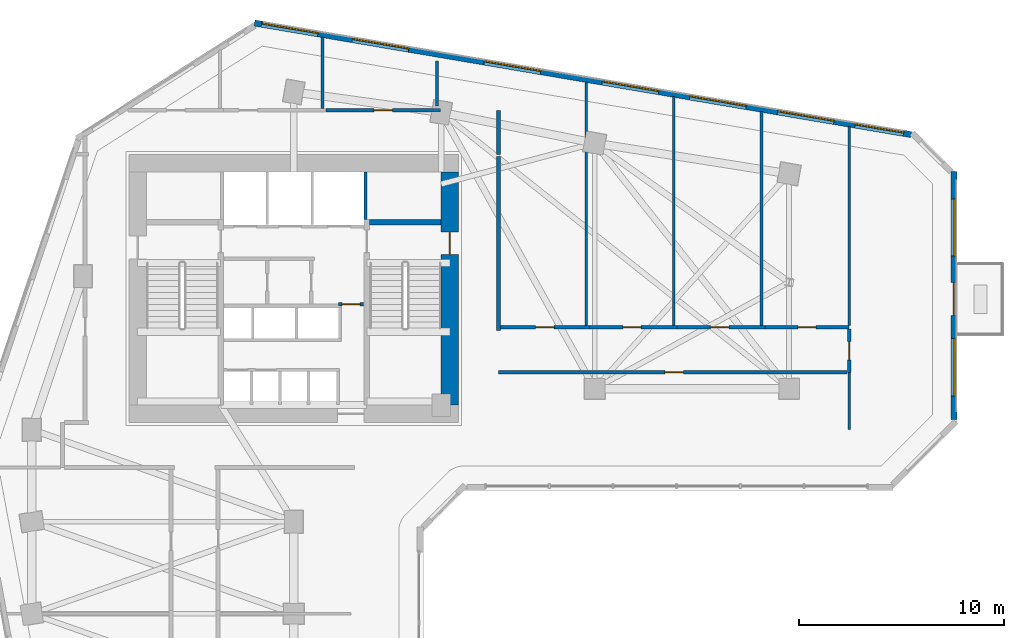
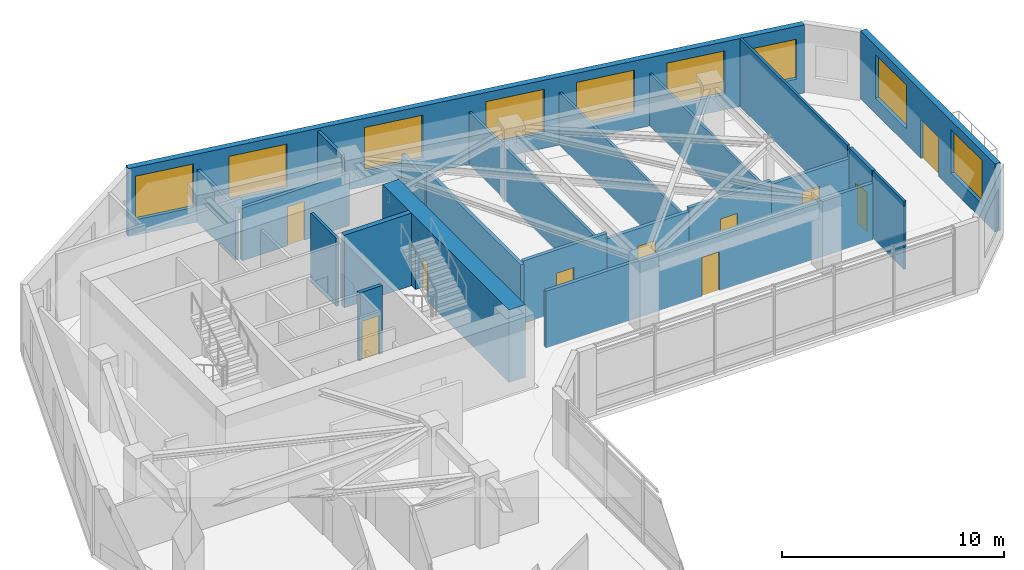
# One storey, part 7 of 11: 22 walls, 10 doors, 9 windows, 19 openings.
"""IFC4 building model written with IfcOpenShell, lengths in metres."""

from ifc_helpers import new_model, si_unit, direction, frame, frame_2d, origin, place, context, subcontext, project, spatial, rectangle, extrude, source, transform, mapped, material, layer, layer_set, type_object, element, fill, save


model = new_model("IFC4")

# Units and contexts
model_context = context("Model", 3, precision=1e-05, world=origin(), true_north=direction((0.0, 1.0)))
body_context = subcontext(model_context, "Body", "Model", "MODEL_VIEW")
ifc_project = project(units=[si_unit("LENGTHUNIT", "METRE"), si_unit("AREAUNIT", "SQUARE_METRE"), si_unit("VOLUMEUNIT", "CUBIC_METRE"), si_unit("PLANEANGLEUNIT", "RADIAN"), si_unit("MASSUNIT", "GRAM", prefix="KILO")], contexts=[model_context])

# Site, building, storey
site_placement = place(None, origin())
site = spatial("IfcSite", under=ifc_project, at=site_placement, CompositionType="ELEMENT")
building_placement = place(site_placement, origin())
building = spatial("IfcBuilding", under=site, at=building_placement, Name="Calvemar Wedge Station Tower", CompositionType="ELEMENT")
storey_placement = place(building_placement, frame((0.0, 0.0, 83.0)))
storey = spatial("IfcBuildingStorey", under=building, at=storey_placement, Name="L20", CompositionType="ELEMENT", Elevation=83.0)

# Wall
ifc_material_1 = material(Name="Concrete C50", Category="concrete")
ifc_layer_1 = layer(ifc_material_1, 0.260009765625)
ifc_layer_set_1 = layer_set([ifc_layer_1], Name="Concrete C50")
wall_type_1 = type_object("IfcWallType", Name="SW-CORE-260", PredefinedType="SHEAR", material=ifc_layer_set_1)
wall_1_placement = place(storey_placement, frame((27.5, 43.1298828125, 0.0), z_axis=(0.0, 0.0, 1.0), x_axis=(1.0, 0.0, 0.0)))
element("IfcWall", 1, at=wall_1_placement, inside=storey, type_object=wall_type_1, Name="Storey L20 Core Shear Wall STC2-N", PredefinedType="SHEAR", context=body_context, shape_type="SweptSolid", body=[
    extrude(rectangle(XDim=3.5, YDim=0.260009765625, at=frame_2d((1.75, 0.0))), origin(), (0.0, 0.0, 1.0), 4.0),
])

# Wall, opening, door
ifc_material_2 = material(Name="Concrete C80", Category="concrete")
ifc_layer_2 = layer(ifc_material_2, 0.85009765625)
ifc_layer_set_2 = layer_set([ifc_layer_2], Name="Concrete C80")
wall_type_2 = type_object("IfcWallType", Name="SW-CORE-850", PredefinedType="SHEAR", material=ifc_layer_set_2)
wall_2_placement = place(storey_placement, frame((31.425048828125, 34.199951171875, 0.0), z_axis=(0.0, 0.0, 1.0), x_axis=(0.0, 1.0, 0.0)))
wall_2 = element("IfcWall", 2, at=wall_2_placement, inside=storey, type_object=wall_type_2, Name="Storey L20 Core Shear Wall E", PredefinedType="SHEAR", context=body_context, shape_type="SweptSolid", body=[
    extrude(rectangle(XDim=11.400146484375, YDim=0.85009765625, at=frame_2d((5.7001953125, 0.0))), origin(), (0.0, 0.0, 1.0), 4.0),
])
shared_shape_1 = source(origin(), body_context, "Body", "SweptSolid", [
    extrude(rectangle(XDim=1.10009765625, YDim=2.14990234375, at=frame_2d((0.550048828125, 1.074951171875))), frame((0.0, 0.43505859375, 0.0), z_axis=(0.0, -1.0, 0.0), x_axis=(1.0, 0.0, 0.0)), (0.0, 0.0, 1.0), 0.8701171875),
])
opening_1_placement = place(wall_2_placement, frame((7.35009765625, 0.0, 0.0)))
opening_1 = element("IfcOpeningElement", 3, at=opening_1_placement, cuts=wall_2, Name="Opening FD-90", PredefinedType="OPENING", context=body_context, shape_type="MappedRepresentation", body=[
    mapped(shared_shape_1, transform((0.0, 0.0, 0.0), scale=1.0)),
])
ifc_material_3 = material(Name="Galvanized fire-rated steel door leaf P-90", Category="steel")
door_type_1 = type_object("IfcDoorType", Name="DR-FD90-1100", OperationType="NOTDEFINED", PredefinedType="DOOR", material=ifc_material_3)
shared_shape_2 = source(origin(), body_context, "Body", "SweptSolid", [
    extrude(rectangle(XDim=1.10009765625, YDim=2.14990234375, at=frame_2d((0.550048828125, 1.074951171875))), frame((0.0, 0.02490234375, 0.0), z_axis=(0.0, -1.0, 0.0), x_axis=(1.0, 0.0, 0.0)), (0.0, 0.0, 1.0), 0.050048828125),
])
door_1_placement = place(opening_1_placement, origin())
door_1 = element("IfcDoor", 4, at=door_1_placement, inside=storey, type_object=door_type_1, Name="L20 East Corridor to Exit Stair ST-C2 Door", OperationType="SINGLE_SWING_LEFT", OverallHeight=2.14990234375, OverallWidth=1.10009765625, PredefinedType="DOOR", context=body_context, shape_type="MappedRepresentation", body=[
    mapped(shared_shape_2, transform((0.0, 0.0, 0.0), scale=1.0)),
])
fill(opening_1, door_1)

ifc_material_4 = material(Name="Double-stud fire-rated corridor partition")
ifc_layer_3 = layer(ifc_material_4, 0.179931640625)
ifc_layer_set_3 = layer_set([ifc_layer_3], Name="Double-stud fire-rated corridor partition")
wall_type_3 = type_object("IfcWallType", Name="W-CORR-180", PredefinedType="PARTITIONING", material=ifc_layer_set_3)
wall_3_placement = place(storey_placement, frame((27.199951171875, 39.1298828125, 0.0), z_axis=(0.0, 0.0, 1.0), x_axis=(-1.0, 0.0, 0.0)))
wall_3 = element("IfcWall", 5, at=wall_3_placement, inside=storey, type_object=wall_type_3, Name="Storey L20 Interior Partition WL-L20-005", PredefinedType="PARTITIONING", context=body_context, shape_type="SweptSolid", body=[
    extrude(rectangle(XDim=1.2099609375, YDim=0.179931640625, at=frame_2d((0.60498046875, 0.0))), origin(), (0.0, 0.0, 1.0), 3.75),
])
shared_shape_3 = source(origin(), body_context, "Body", "SweptSolid", [
    extrude(rectangle(XDim=0.89990234375, YDim=2.14990234375, at=frame_2d((0.449951171875, 1.074951171875))), frame((0.0, 0.10009765625, 0.0), z_axis=(0.0, -1.0, 0.0), x_axis=(1.0, 0.0, 0.0)), (0.0, 0.0, 1.0), 0.199951171875),
])
opening_2_placement = place(wall_3_placement, frame((0.155029296875, 0.0, 0.0)))
opening_2 = element("IfcOpeningElement", 6, at=opening_2_placement, cuts=wall_3, Name="Opening FD-60", PredefinedType="OPENING", context=body_context, shape_type="MappedRepresentation", body=[
    mapped(shared_shape_3, transform((0.0, 0.0, 0.0), scale=1.0)),
])
ifc_material_5 = material(Name="Fire-rated acoustic timber-core entrance door EI 60", Category="wood")
door_type_2 = type_object("IfcDoorType", Name="DR-FD60-900", OperationType="NOTDEFINED", PredefinedType="DOOR", material=ifc_material_5)
shared_shape_4 = source(origin(), body_context, "Body", "SweptSolid", [
    extrude(rectangle(XDim=0.89990234375, YDim=2.14990234375, at=frame_2d((0.449951171875, 1.074951171875))), frame((0.0, 0.02490234375, 0.0), z_axis=(0.0, -1.0, 0.0), x_axis=(1.0, 0.0, 0.0)), (0.0, 0.0, 1.0), 0.050048828125),
])
door_2_placement = place(opening_2_placement, origin())
door_2 = element("IfcDoor", 7, at=door_2_placement, inside=storey, type_object=door_type_2, Name="L20 Core Service Lobby Door", OperationType="SINGLE_SWING_RIGHT", OverallHeight=2.14990234375, OverallWidth=0.89990234375, PredefinedType="DOOR", context=body_context, shape_type="MappedRepresentation", body=[
    mapped(shared_shape_4, transform((0.0, 0.0, 0.0), scale=1.0)),
])
fill(opening_2, door_2)

wall_4_placement = place(storey_placement, frame((25.362060546875, 48.60009765625, 0.0), z_axis=(0.0, 0.0, 1.0), x_axis=(1.0, 0.0, 0.0)))
wall_4 = element("IfcWall", 8, at=wall_4_placement, inside=storey, type_object=wall_type_3, Name="Storey L20 Interior Partition WL-L20-014", PredefinedType="PARTITIONING", context=body_context, shape_type="SweptSolid", body=[
    extrude(rectangle(XDim=5.597900390625, YDim=0.179931640625, at=frame_2d((2.798828125, 0.0))), origin(), (0.0, 0.0, 1.0), 2.89208984375),
])
opening_3_placement = place(wall_4_placement, frame((2.34912109375, 0.0, 0.0)))
opening_3 = element("IfcOpeningElement", 9, at=opening_3_placement, cuts=wall_4, Name="Opening D-01", PredefinedType="OPENING", context=body_context, shape_type="MappedRepresentation", body=[
    mapped(shared_shape_3, transform((0.0, 0.0, 0.0), scale=1.0)),
])
ifc_material_6 = material(Name="Architectural hardwood acoustic swing door", Category="wood")
door_type_3 = type_object("IfcDoorType", Name="DR-INT-900", OperationType="NOTDEFINED", PredefinedType="DOOR", material=ifc_material_6)
shared_shape_5 = source(origin(), body_context, "Body", "SweptSolid", [
    extrude(rectangle(XDim=0.89990234375, YDim=2.14990234375, at=frame_2d((0.449951171875, 1.074951171875))), frame((0.0, 0.02490234375, 0.0), z_axis=(0.0, -1.0, 0.0), x_axis=(1.0, 0.0, 0.0)), (0.0, 0.0, 1.0), 0.050048828125),
])
door_3_placement = place(opening_3_placement, origin())
door_3 = element("IfcDoor", 10, at=door_3_placement, inside=storey, type_object=door_type_3, Name="L20 Female Toilet Door", OperationType="SINGLE_SWING_RIGHT", OverallHeight=2.14990234375, OverallWidth=0.89990234375, PredefinedType="DOOR", context=body_context, shape_type="MappedRepresentation", body=[
    mapped(shared_shape_5, transform((0.0, 0.0, 0.0), scale=1.0)),
])
fill(opening_3, door_3)

# Walls
wall_5_placement = place(storey_placement, frame((33.800048828125, 48.60009765625, 0.0), z_axis=(0.0, 0.0, 1.0), x_axis=(0.0, -1.0, 0.0)))
element("IfcWall", 11, at=wall_5_placement, inside=storey, type_object=wall_type_3, Name="Storey L20 Interior Partition WL-L20-015", PredefinedType="PARTITIONING", context=body_context, shape_type="SweptSolid", body=[
    extrude(rectangle(XDim=2.150146484375, YDim=0.179931640625, at=frame_2d((1.0751953125, 0.0))), origin(), (0.0, 0.0, 1.0), 2.89208984375),
])
wall_6_placement = place(storey_placement, frame((33.800048828125, 46.35595703125, 0.0), z_axis=(0.0, 0.0, 1.0), x_axis=(0.0, -1.0, 0.0)))
element("IfcWall", 12, at=wall_6_placement, inside=storey, type_object=wall_type_3, Name="Storey L20 Interior Partition WL-L20-016", PredefinedType="PARTITIONING", context=body_context, shape_type="SweptSolid", body=[
    extrude(rectangle(XDim=8.515869140625, YDim=0.179931640625, at=frame_2d((4.2578125, 0.0))), origin(), (0.0, 0.0, 1.0), 3.322021484375),
])

# Wall, opening, door
wall_7_placement = place(storey_placement, frame((33.89404296875, 38.0, 0.0), z_axis=(0.0, 0.0, 1.0), x_axis=(1.0, 0.0, 0.0)))
wall_7 = element("IfcWall", 13, at=wall_7_placement, inside=storey, type_object=wall_type_3, Name="Storey L20 Interior Partition WL-L20-020", PredefinedType="PARTITIONING", context=body_context, shape_type="SweptSolid", body=[
    extrude(rectangle(XDim=4.349853515625, YDim=0.179931640625, at=frame_2d((2.1748046875, 0.0))), origin(), (0.0, 0.0, 1.0), 3.43408203125),
])
opening_4_placement = place(wall_7_placement, frame((1.72509765625, 0.0, 0.0)))
opening_4 = element("IfcOpeningElement", 14, at=opening_4_placement, cuts=wall_7, Name="Opening D-01", PredefinedType="OPENING", context=body_context, shape_type="MappedRepresentation", body=[
    mapped(shared_shape_3, transform((0.0, 0.0, 0.0), scale=1.0)),
])
door_4_placement = place(opening_4_placement, origin())
door_4 = element("IfcDoor", 15, at=door_4_placement, inside=storey, type_object=door_type_3, Name="L20 Co-Working Studio Door", OperationType="SINGLE_SWING_LEFT", OverallHeight=2.14990234375, OverallWidth=0.89990234375, PredefinedType="DOOR", context=body_context, shape_type="MappedRepresentation", body=[
    mapped(shared_shape_5, transform((0.0, 0.0, 0.0), scale=1.0)),
])
fill(opening_4, door_4)

wall_8_placement = place(storey_placement, frame((38.24609375, 38.0, 0.0), z_axis=(0.0, 0.0, 1.0), x_axis=(1.0, 0.0, 0.0)))
wall_8 = element("IfcWall", 16, at=wall_8_placement, inside=storey, type_object=wall_type_3, Name="Storey L20 Interior Partition WL-L20-021", PredefinedType="PARTITIONING", context=body_context, shape_type="SweptSolid", body=[
    extrude(rectangle(XDim=4.281005859375, YDim=0.179931640625, at=frame_2d((2.140625, 0.0))), origin(), (0.0, 0.0, 1.0), 3.125),
])
opening_5_placement = place(wall_8_placement, frame((1.629150390625, 0.0, 0.0)))
opening_5 = element("IfcOpeningElement", 17, at=opening_5_placement, cuts=wall_8, Name="Opening D-01", PredefinedType="OPENING", context=body_context, shape_type="MappedRepresentation", body=[
    mapped(shared_shape_3, transform((0.0, 0.0, 0.0), scale=1.0)),
])
door_5_placement = place(opening_5_placement, origin())
door_5 = element("IfcDoor", 18, at=door_5_placement, inside=storey, type_object=door_type_3, Name="L20 Co-Working Studio Door", OperationType="SINGLE_SWING_RIGHT", OverallHeight=2.14990234375, OverallWidth=0.89990234375, PredefinedType="DOOR", context=body_context, shape_type="MappedRepresentation", body=[
    mapped(shared_shape_5, transform((0.0, 0.0, 0.0), scale=1.0)),
])
fill(opening_5, door_5)

wall_9_placement = place(storey_placement, frame((42.529052734375, 38.0, 0.0), z_axis=(0.0, 0.0, 1.0), x_axis=(1.0, 0.0, 0.0)))
wall_9 = element("IfcWall", 19, at=wall_9_placement, inside=storey, type_object=wall_type_3, Name="Storey L20 Interior Partition WL-L20-022", PredefinedType="PARTITIONING", context=body_context, shape_type="SweptSolid", body=[
    extrude(rectangle(XDim=4.281982421875, YDim=0.179931640625, at=frame_2d((2.14111328125, 0.0))), origin(), (0.0, 0.0, 1.0), 3.322021484375),
])
opening_6_placement = place(wall_9_placement, frame((1.629638671875, 0.0, 0.0)))
opening_6 = element("IfcOpeningElement", 20, at=opening_6_placement, cuts=wall_9, Name="Opening D-01", PredefinedType="OPENING", context=body_context, shape_type="MappedRepresentation", body=[
    mapped(shared_shape_3, transform((0.0, 0.0, 0.0), scale=1.0)),
])
door_6_placement = place(opening_6_placement, origin())
door_6 = element("IfcDoor", 21, at=door_6_placement, inside=storey, type_object=door_type_3, Name="L20 Co-Working Studio Door", OperationType="SINGLE_SWING_LEFT", OverallHeight=2.14990234375, OverallWidth=0.89990234375, PredefinedType="DOOR", context=body_context, shape_type="MappedRepresentation", body=[
    mapped(shared_shape_5, transform((0.0, 0.0, 0.0), scale=1.0)),
])
fill(opening_6, door_6)

wall_10_placement = place(storey_placement, frame((46.81298828125, 38.0, 0.0), z_axis=(0.0, 0.0, 1.0), x_axis=(1.0, 0.0, 0.0)))
wall_10 = element("IfcWall", 22, at=wall_10_placement, inside=storey, type_object=wall_type_3, Name="Storey L20 Interior Partition WL-L20-023", PredefinedType="PARTITIONING", context=body_context, shape_type="SweptSolid", body=[
    extrude(rectangle(XDim=4.1220703125, YDim=0.179931640625, at=frame_2d((2.06103515625, 0.0))), origin(), (0.0, 0.0, 1.0), 3.125),
])
opening_7_placement = place(wall_10_placement, frame((1.611083984375, 0.0, 0.0)))
opening_7 = element("IfcOpeningElement", 23, at=opening_7_placement, cuts=wall_10, Name="Opening D-01", PredefinedType="OPENING", context=body_context, shape_type="MappedRepresentation", body=[
    mapped(shared_shape_3, transform((0.0, 0.0, 0.0), scale=1.0)),
])
door_7_placement = place(opening_7_placement, origin())
door_7 = element("IfcDoor", 24, at=door_7_placement, inside=storey, type_object=door_type_3, Name="L20 Meeting Room Door", OperationType="SINGLE_SWING_RIGHT", OverallHeight=2.14990234375, OverallWidth=0.89990234375, PredefinedType="DOOR", context=body_context, shape_type="MappedRepresentation", body=[
    mapped(shared_shape_5, transform((0.0, 0.0, 0.0), scale=1.0)),
])
fill(opening_7, door_7)

wall_11_placement = place(storey_placement, frame((50.93505859375, 37.906005859375, 0.0), z_axis=(0.0, 0.0, 1.0), x_axis=(0.0, -1.0, 0.0)))
wall_11 = element("IfcWall", 25, at=wall_11_placement, inside=storey, type_object=wall_type_3, Name="Storey L20 Interior Partition WL-L20-024", PredefinedType="PARTITIONING", context=body_context, shape_type="SweptSolid", body=[
    extrude(rectangle(XDim=2.10595703125, YDim=0.179931640625, at=frame_2d((1.052978515625, 0.0))), origin(), (0.0, 0.0, 1.0), 3.75),
])
opening_8_placement = place(wall_11_placement, frame((0.60302734375, 0.0, 0.0)))
opening_8 = element("IfcOpeningElement", 26, at=opening_8_placement, cuts=wall_11, Name="Opening D-01", PredefinedType="OPENING", context=body_context, shape_type="MappedRepresentation", body=[
    mapped(shared_shape_3, transform((0.0, 0.0, 0.0), scale=1.0)),
])
door_8_placement = place(opening_8_placement, origin())
door_8 = element("IfcDoor", 27, at=door_8_placement, inside=storey, type_object=door_type_3, Name="L20 Training Room Door", OperationType="SINGLE_SWING_LEFT", OverallHeight=2.14990234375, OverallWidth=0.89990234375, PredefinedType="DOOR", context=body_context, shape_type="MappedRepresentation", body=[
    mapped(shared_shape_5, transform((0.0, 0.0, 0.0), scale=1.0)),
])
fill(opening_8, door_8)

wall_12_placement = place(storey_placement, frame((50.841064453125, 35.800048828125, 0.0), z_axis=(0.0, 0.0, 1.0), x_axis=(-1.0, 0.0, 0.0)))
wall_12 = element("IfcWall", 28, at=wall_12_placement, inside=storey, type_object=wall_type_3, Name="Storey L20 Interior Partition WL-L20-025", PredefinedType="PARTITIONING", context=body_context, shape_type="SweptSolid", body=[
    extrude(rectangle(XDim=17.041015625, YDim=0.179931640625, at=frame_2d((8.5205078125, 0.0))), origin(), (0.0, 0.0, 1.0), 3.125),
])
opening_9_placement = place(wall_12_placement, frame((8.010009765625, 0.0, 0.0)))
opening_9 = element("IfcOpeningElement", 29, at=opening_9_placement, cuts=wall_12, Name="Opening D-01", PredefinedType="OPENING", context=body_context, shape_type="MappedRepresentation", body=[
    mapped(shared_shape_3, transform((0.0, 0.0, 0.0), scale=1.0)),
])
door_9_placement = place(opening_9_placement, origin())
door_9 = element("IfcDoor", 30, at=door_9_placement, inside=storey, type_object=door_type_3, Name="L20 Meeting Room Door", OperationType="SINGLE_SWING_RIGHT", OverallHeight=2.14990234375, OverallWidth=0.89990234375, PredefinedType="DOOR", context=body_context, shape_type="MappedRepresentation", body=[
    mapped(shared_shape_5, transform((0.0, 0.0, 0.0), scale=1.0)),
])
fill(opening_9, door_9)

# Wall, openings, windows, door
ifc_material_7 = material(Name="Precast concrete C45", Category="concrete")
ifc_layer_4 = layer(ifc_material_7, 0.300048828125)
ifc_layer_set_4 = layer_set([ifc_layer_4], Name="Precast concrete C45")
wall_type_4 = type_object("IfcWallType", Name="W-EXT-GFRC-300", PredefinedType="SOLIDWALL", material=ifc_layer_set_4)
wall_13_placement = place(storey_placement, frame((56.050048828125, 33.4853515625, 0.0), z_axis=(0.0, 0.0, 1.0), x_axis=(0.0, 1.0, 0.0)))
wall_13 = element("IfcWall", 31, at=wall_13_placement, inside=storey, type_object=wall_type_4, Name="Storey L20 Bronze GFRC Exterior Wall 8", PredefinedType="SOLIDWALL", context=body_context, shape_type="SweptSolid", body=[
    extrude(rectangle(XDim=12.130615234375, YDim=0.300048828125, at=frame_2d((6.0654296875, 0.0))), origin(), (0.0, 0.0, 1.0), 3.75),
])
shared_shape_6 = source(origin(), body_context, "Body", "SweptSolid", [
    extrude(rectangle(XDim=1.60009765625, YDim=2.14990234375, at=frame_2d((0.800048828125, 1.074951171875))), frame((0.0, 0.16015625, 0.0), z_axis=(0.0, -1.0, 0.0), x_axis=(1.0, 0.0, 0.0)), (0.0, 0.0, 1.0), 0.320068359375),
])
opening_10_placement = place(wall_13_placement, frame((5.093017578125, 0.0, 0.0)))
opening_10 = element("IfcOpeningElement", 32, at=opening_10_placement, cuts=wall_13, Name="Opening DT1", PredefinedType="OPENING", context=body_context, shape_type="MappedRepresentation", body=[
    mapped(shared_shape_6, transform((0.0, 0.0, 0.0), scale=1.0)),
])
shared_shape_7 = source(origin(), body_context, "Body", "SweptSolid", [
    extrude(rectangle(XDim=2.800048828125, YDim=2.39990234375, at=frame_2d((1.39990234375, 1.199951171875))), frame((0.0, 0.16015625, 0.0), z_axis=(0.0, -1.0, 0.0), x_axis=(1.0, 0.0, 0.0)), (0.0, 0.0, 1.0), 0.320068359375),
])
opening_11_placement = place(wall_13_placement, frame((1.1669921875, 0.0, 0.85009765625)))
opening_11 = element("IfcOpeningElement", 33, at=opening_11_placement, cuts=wall_13, Name="Opening W6", PredefinedType="OPENING", context=body_context, shape_type="MappedRepresentation", body=[
    mapped(shared_shape_7, transform((0.0, 0.0, 0.0), scale=1.0)),
])
opening_12_placement = place(wall_13_placement, frame((7.991943359375, 0.0, 0.85009765625)))
opening_12 = element("IfcOpeningElement", 34, at=opening_12_placement, cuts=wall_13, Name="Opening W6", PredefinedType="OPENING", context=body_context, shape_type="MappedRepresentation", body=[
    mapped(shared_shape_7, transform((0.0, 0.0, 0.0), scale=1.0)),
])
ifc_material_8 = material(Name="Low-E laminated insulated glass", Category="glass")
window_type_1 = type_object("IfcWindowType", Name="WIN-EXT-6", PartitioningType="SINGLE_PANEL", PredefinedType="WINDOW", material=ifc_material_8)
shared_shape_8 = source(origin(), body_context, "Body", "SweptSolid", [
    extrude(rectangle(XDim=2.800048828125, YDim=2.39990234375, at=frame_2d((1.39990234375, 1.199951171875))), frame((0.0, -0.014892578125, 0.0), z_axis=(0.0, -1.0, 0.0), x_axis=(1.0, 0.0, 0.0)), (0.0, 0.0, 1.0), 0.06005859375),
])
window_1_placement = place(opening_11_placement, origin())
window_1 = element("IfcWindow", 35, at=window_1_placement, inside=storey, type_object=window_type_1, Name="Storey L20 Recessed Window 8.1", OverallHeight=2.39990234375, OverallWidth=2.800048828125, PartitioningType="SINGLE_PANEL", PredefinedType="WINDOW", context=body_context, shape_type="MappedRepresentation", body=[
    mapped(shared_shape_8, transform((0.0, 0.0, 0.0), scale=1.0)),
])
fill(opening_11, window_1)
window_2_placement = place(opening_12_placement, origin())
window_2 = element("IfcWindow", 36, at=window_2_placement, inside=storey, type_object=window_type_1, Name="Storey L20 Recessed Window 8.2", OverallHeight=2.39990234375, OverallWidth=2.800048828125, PartitioningType="SINGLE_PANEL", PredefinedType="WINDOW", context=body_context, shape_type="MappedRepresentation", body=[
    mapped(shared_shape_8, transform((0.0, 0.0, 0.0), scale=1.0)),
])
fill(opening_12, window_2)
ifc_material_9 = material(Name="Anodised aluminium 6063-T6", Category="aluminium")
door_type_4 = type_object("IfcDoorType", Name="DR-TERR-1600", OperationType="DOUBLE_DOOR_SLIDING", PredefinedType="DOOR", material=ifc_material_9)
shared_shape_9 = source(origin(), body_context, "Body", "SweptSolid", [
    extrude(rectangle(XDim=1.60009765625, YDim=2.14990234375, at=frame_2d((0.800048828125, 1.074951171875))), frame((0.0, 0.02490234375, 0.0), z_axis=(0.0, -1.0, 0.0), x_axis=(1.0, 0.0, 0.0)), (0.0, 0.0, 1.0), 0.050048828125),
])
door_10_placement = place(opening_10_placement, origin())
door_10 = element("IfcDoor", 37, at=door_10_placement, inside=storey, type_object=door_type_4, Name="Storey L20 Spiral Terrace Door", OperationType="DOUBLE_DOOR_SLIDING", OverallHeight=2.14990234375, OverallWidth=1.60009765625, PredefinedType="DOOR", context=body_context, shape_type="MappedRepresentation", body=[
    mapped(shared_shape_9, transform((0.0, 0.0, 0.0), scale=1.0)),
])
fill(opening_10, door_10)

# Wall, openings, windows
wall_14_placement = place(storey_placement, frame((53.9609375, 47.41650390625, 0.0), z_axis=(0.0, 0.0, 1.0), x_axis=(-0.985865713455, 0.167537443678, 0.0)))
wall_14 = element("IfcWall", 38, at=wall_14_placement, inside=storey, type_object=wall_type_4, Name="Storey L20 Bronze GFRC Exterior Wall 10", PredefinedType="SOLIDWALL", context=body_context, shape_type="SweptSolid", body=[
    extrude(rectangle(XDim=32.537109375, YDim=0.300048828125, at=frame_2d((16.2685546875, 0.0))), origin(), (0.0, 0.0, 1.0), 3.75),
])
shared_shape_10 = source(origin(), body_context, "Body", "SweptSolid", [
    extrude(rectangle(XDim=2.39990234375, YDim=2.199951171875, at=frame_2d((1.199951171875, 1.10009765625))), frame((0.0, 0.16015625, 0.0), z_axis=(0.0, -1.0, 0.0), x_axis=(1.0, 0.0, 0.0)), (0.0, 0.0, 1.0), 0.320068359375),
])
opening_13_placement = place(wall_14_placement, frame((0.375, 0.0, 0.85009765625)))
opening_13 = element("IfcOpeningElement", 39, at=opening_13_placement, cuts=wall_14, Name="Opening W1", PredefinedType="OPENING", context=body_context, shape_type="MappedRepresentation", body=[
    mapped(shared_shape_10, transform((0.0, 0.0, 0.0), scale=1.0)),
])
opening_14_placement = place(wall_14_placement, frame((3.822021484375, 0.0, 0.85009765625)))
opening_14 = element("IfcOpeningElement", 40, at=opening_14_placement, cuts=wall_14, Name="Opening W6", PredefinedType="OPENING", context=body_context, shape_type="MappedRepresentation", body=[
    mapped(shared_shape_7, transform((0.0, 0.0, 0.0), scale=1.0)),
])
opening_15_placement = place(wall_14_placement, frame((8.16796875, 0.0, 0.85009765625)))
opening_15 = element("IfcOpeningElement", 41, at=opening_15_placement, cuts=wall_14, Name="Opening W6", PredefinedType="OPENING", context=body_context, shape_type="MappedRepresentation", body=[
    mapped(shared_shape_7, transform((0.0, 0.0, 0.0), scale=1.0)),
])
opening_16_placement = place(wall_14_placement, frame((12.512939453125, 0.0, 0.85009765625)))
opening_16 = element("IfcOpeningElement", 42, at=opening_16_placement, cuts=wall_14, Name="Opening W6", PredefinedType="OPENING", context=body_context, shape_type="MappedRepresentation", body=[
    mapped(shared_shape_7, transform((0.0, 0.0, 0.0), scale=1.0)),
])
opening_17_placement = place(wall_14_placement, frame((18.360107421875, 0.0, 0.85009765625)))
opening_17 = element("IfcOpeningElement", 43, at=opening_17_placement, cuts=wall_14, Name="Opening W6", PredefinedType="OPENING", context=body_context, shape_type="MappedRepresentation", body=[
    mapped(shared_shape_7, transform((0.0, 0.0, 0.0), scale=1.0)),
])
opening_18_placement = place(wall_14_placement, frame((24.89501953125, 0.0, 0.85009765625)))
opening_18 = element("IfcOpeningElement", 44, at=opening_18_placement, cuts=wall_14, Name="Opening W6", PredefinedType="OPENING", context=body_context, shape_type="MappedRepresentation", body=[
    mapped(shared_shape_7, transform((0.0, 0.0, 0.0), scale=1.0)),
])
opening_19_placement = place(wall_14_placement, frame((29.39501953125, 0.0, 0.85009765625)))
opening_19 = element("IfcOpeningElement", 45, at=opening_19_placement, cuts=wall_14, Name="Opening W6", PredefinedType="OPENING", context=body_context, shape_type="MappedRepresentation", body=[
    mapped(shared_shape_7, transform((0.0, 0.0, 0.0), scale=1.0)),
])
window_3_placement = place(opening_14_placement, origin())
window_3 = element("IfcWindow", 46, at=window_3_placement, inside=storey, type_object=window_type_1, Name="Storey L20 Recessed Window 10.2", OverallHeight=2.39990234375, OverallWidth=2.800048828125, PartitioningType="SINGLE_PANEL", PredefinedType="WINDOW", context=body_context, shape_type="MappedRepresentation", body=[
    mapped(shared_shape_8, transform((0.0, 0.0, 0.0), scale=1.0)),
])
fill(opening_14, window_3)
window_4_placement = place(opening_15_placement, origin())
window_4 = element("IfcWindow", 47, at=window_4_placement, inside=storey, type_object=window_type_1, Name="Storey L20 Recessed Window 10.3", OverallHeight=2.39990234375, OverallWidth=2.800048828125, PartitioningType="SINGLE_PANEL", PredefinedType="WINDOW", context=body_context, shape_type="MappedRepresentation", body=[
    mapped(shared_shape_8, transform((0.0, 0.0, 0.0), scale=1.0)),
])
fill(opening_15, window_4)
window_5_placement = place(opening_16_placement, origin())
window_5 = element("IfcWindow", 48, at=window_5_placement, inside=storey, type_object=window_type_1, Name="Storey L20 Recessed Window 10.4", OverallHeight=2.39990234375, OverallWidth=2.800048828125, PartitioningType="SINGLE_PANEL", PredefinedType="WINDOW", context=body_context, shape_type="MappedRepresentation", body=[
    mapped(shared_shape_8, transform((0.0, 0.0, 0.0), scale=1.0)),
])
fill(opening_16, window_5)
window_6_placement = place(opening_17_placement, origin())
window_6 = element("IfcWindow", 49, at=window_6_placement, inside=storey, type_object=window_type_1, Name="Storey L20 Recessed Window 10.5", OverallHeight=2.39990234375, OverallWidth=2.800048828125, PartitioningType="SINGLE_PANEL", PredefinedType="WINDOW", context=body_context, shape_type="MappedRepresentation", body=[
    mapped(shared_shape_8, transform((0.0, 0.0, 0.0), scale=1.0)),
])
fill(opening_17, window_6)
window_7_placement = place(opening_18_placement, origin())
window_7 = element("IfcWindow", 50, at=window_7_placement, inside=storey, type_object=window_type_1, Name="Storey L20 Recessed Window 10.6", OverallHeight=2.39990234375, OverallWidth=2.800048828125, PartitioningType="SINGLE_PANEL", PredefinedType="WINDOW", context=body_context, shape_type="MappedRepresentation", body=[
    mapped(shared_shape_8, transform((0.0, 0.0, 0.0), scale=1.0)),
])
fill(opening_18, window_7)
window_8_placement = place(opening_19_placement, origin())
window_8 = element("IfcWindow", 51, at=window_8_placement, inside=storey, type_object=window_type_1, Name="Storey L20 Recessed Window 10.7", OverallHeight=2.39990234375, OverallWidth=2.800048828125, PartitioningType="SINGLE_PANEL", PredefinedType="WINDOW", context=body_context, shape_type="MappedRepresentation", body=[
    mapped(shared_shape_8, transform((0.0, 0.0, 0.0), scale=1.0)),
])
fill(opening_19, window_8)
window_type_2 = type_object("IfcWindowType", Name="WIN-EXT-1", PartitioningType="SINGLE_PANEL", PredefinedType="WINDOW", material=ifc_material_8)
shared_shape_11 = source(origin(), body_context, "Body", "SweptSolid", [
    extrude(rectangle(XDim=2.39990234375, YDim=2.199951171875, at=frame_2d((1.199951171875, 1.10009765625))), frame((0.0, -0.014892578125, 0.0), z_axis=(0.0, -1.0, 0.0), x_axis=(1.0, 0.0, 0.0)), (0.0, 0.0, 1.0), 0.06005859375),
])
window_9_placement = place(opening_13_placement, origin())
window_9 = element("IfcWindow", 52, at=window_9_placement, inside=storey, type_object=window_type_2, Name="Storey L20 Recessed Window 10.1", OverallHeight=2.199951171875, OverallWidth=2.39990234375, PartitioningType="SINGLE_PANEL", PredefinedType="WINDOW", context=body_context, shape_type="MappedRepresentation", body=[
    mapped(shared_shape_11, transform((0.0, 0.0, 0.0), scale=1.0)),
])
fill(opening_13, window_9)

# Walls
ifc_material_10 = material(Name="Reinforced concrete blockwork lift shaft wall", Category="masonry")
ifc_layer_5 = layer(ifc_material_10, 0.139892578125)
ifc_layer_set_5 = layer_set([ifc_layer_5], Name="Reinforced concrete blockwork lift shaft wall")
wall_type_5 = type_object("IfcWallType", Name="W-LIFT-160", PredefinedType="SOLIDWALL", material=ifc_layer_set_5)
wall_15_placement = place(storey_placement, frame((27.31005859375, 43.280029296875, 0.0), z_axis=(0.0, 0.0, 1.0), x_axis=(0.0, 1.0, 0.0)))
element("IfcWall", 53, at=wall_15_placement, inside=storey, type_object=wall_type_5, Name="Storey L20 Firefighting Lift Shaft Enclosure Wall E", PredefinedType="SOLIDWALL", context=body_context, shape_type="SweptSolid", body=[
    extrude(rectangle(XDim=2.300048828125, YDim=0.139892578125, at=frame_2d((1.14990234375, 0.0))), origin(), (0.0, 0.0, 1.0), 3.75),
])
ifc_material_11 = material(Name="Insulated acoustic gypsum stud partition")
ifc_layer_6 = layer(ifc_material_11, 0.125)
ifc_layer_set_6 = layer_set([ifc_layer_6], Name="Insulated acoustic gypsum stud partition")
wall_type_6 = type_object("IfcWallType", Name="W-PART-125", PredefinedType="PARTITIONING", material=ifc_layer_set_6)
wall_16_placement = place(storey_placement, frame((38.083984375, 49.997802734375, 0.0), z_axis=(0.0, 0.0, 1.0), x_axis=(0.0, -1.0, 0.0)))
element("IfcWall", 54, at=wall_16_placement, inside=storey, type_object=wall_type_6, Name="Storey L20 Interior Partition WL-L20-026", PredefinedType="PARTITIONING", context=body_context, shape_type="SweptSolid", body=[
    extrude(rectangle(XDim=11.90380859375, YDim=0.125, at=frame_2d((5.951904296875, 0.0))), origin(), (0.0, 0.0, 1.0), 2.89208984375),
])
wall_17_placement = place(storey_placement, frame((42.366943359375, 49.27001953125, 0.0), z_axis=(0.0, 0.0, 1.0), x_axis=(0.0, -1.0, 0.0)))
element("IfcWall", 55, at=wall_17_placement, inside=storey, type_object=wall_type_6, Name="Storey L20 Interior Partition WL-L20-027", PredefinedType="PARTITIONING", context=body_context, shape_type="SweptSolid", body=[
    extrude(rectangle(XDim=11.176025390625, YDim=0.125, at=frame_2d((5.587890625, 0.0))), origin(), (0.0, 0.0, 1.0), 2.89208984375),
])
wall_18_placement = place(storey_placement, frame((46.65087890625, 48.5419921875, 0.0), z_axis=(0.0, 0.0, 1.0), x_axis=(0.0, -1.0, 0.0)))
element("IfcWall", 56, at=wall_18_placement, inside=storey, type_object=wall_type_6, Name="Storey L20 Interior Partition WL-L20-028", PredefinedType="PARTITIONING", context=body_context, shape_type="SweptSolid", body=[
    extrude(rectangle(XDim=10.447998046875, YDim=0.125, at=frame_2d((5.22412109375, 0.0))), origin(), (0.0, 0.0, 1.0), 2.89208984375),
])
wall_19_placement = place(storey_placement, frame((50.93505859375, 47.81396484375, 0.0), z_axis=(0.0, 0.0, 1.0), x_axis=(0.0, -1.0, 0.0)))
element("IfcWall", 57, at=wall_19_placement, inside=storey, type_object=wall_type_6, Name="Storey L20 Interior Partition WL-L20-029", PredefinedType="PARTITIONING", context=body_context, shape_type="SweptSolid", body=[
    extrude(rectangle(XDim=9.719970703125, YDim=0.125, at=frame_2d((4.85986328125, 0.0))), origin(), (0.0, 0.0, 1.0), 3.75),
])
wall_20_placement = place(storey_placement, frame((50.93505859375, 33.0, 0.0), z_axis=(0.0, 0.0, 1.0), x_axis=(0.0, 1.0, 0.0)))
element("IfcWall", 58, at=wall_20_placement, inside=storey, type_object=wall_type_6, Name="Storey L20 Interior Partition WL-L20-030", PredefinedType="PARTITIONING", context=body_context, shape_type="SweptSolid", body=[
    extrude(rectangle(XDim=2.798095703125, YDim=0.125, at=frame_2d((1.39892578125, 0.0))), origin(), (0.0, 0.0, 1.0), 3.75),
])
ifc_material_12 = material(Name="Moisture-resistant acoustic bathroom partition")
ifc_layer_7 = layer(ifc_material_12, 0.14990234375)
ifc_layer_set_7 = layer_set([ifc_layer_7], Name="Moisture-resistant acoustic bathroom partition")
wall_type_7 = type_object("IfcWallType", Name="W-WET-150", PredefinedType="PARTITIONING", material=ifc_layer_set_7)
wall_21_placement = place(storey_placement, frame((25.199951171875, 52.1875, 0.0), z_axis=(0.0, 0.0, 1.0), x_axis=(0.0, -1.0, 0.0)))
element("IfcWall", 59, at=wall_21_placement, inside=storey, type_object=wall_type_7, Name="Storey L20 Interior Partition WL-L20-019", PredefinedType="PARTITIONING", context=body_context, shape_type="SweptSolid", body=[
    extrude(rectangle(XDim=3.493408203125, YDim=0.14990234375, at=frame_2d((1.74658203125, 0.0))), origin(), (0.0, 0.0, 1.0), 2.89208984375),
])
wall_22_placement = place(storey_placement, frame((30.800048828125, 51.0126953125, 0.0), z_axis=(0.0, 0.0, 1.0), x_axis=(0.0, -1.0, 0.0)))
element("IfcWall", 60, at=wall_22_placement, inside=storey, type_object=wall_type_7, Name="Storey L20 Bathroom Enclosure Wall WL-L20-046", PredefinedType="PARTITIONING", context=body_context, shape_type="SweptSolid", body=[
    extrude(rectangle(XDim=2.192626953125, YDim=0.14990234375, at=frame_2d((1.09619140625, 0.0))), origin(), (0.0, 0.0, 1.0), 3.75),
])

save(model, "model.ifc")
